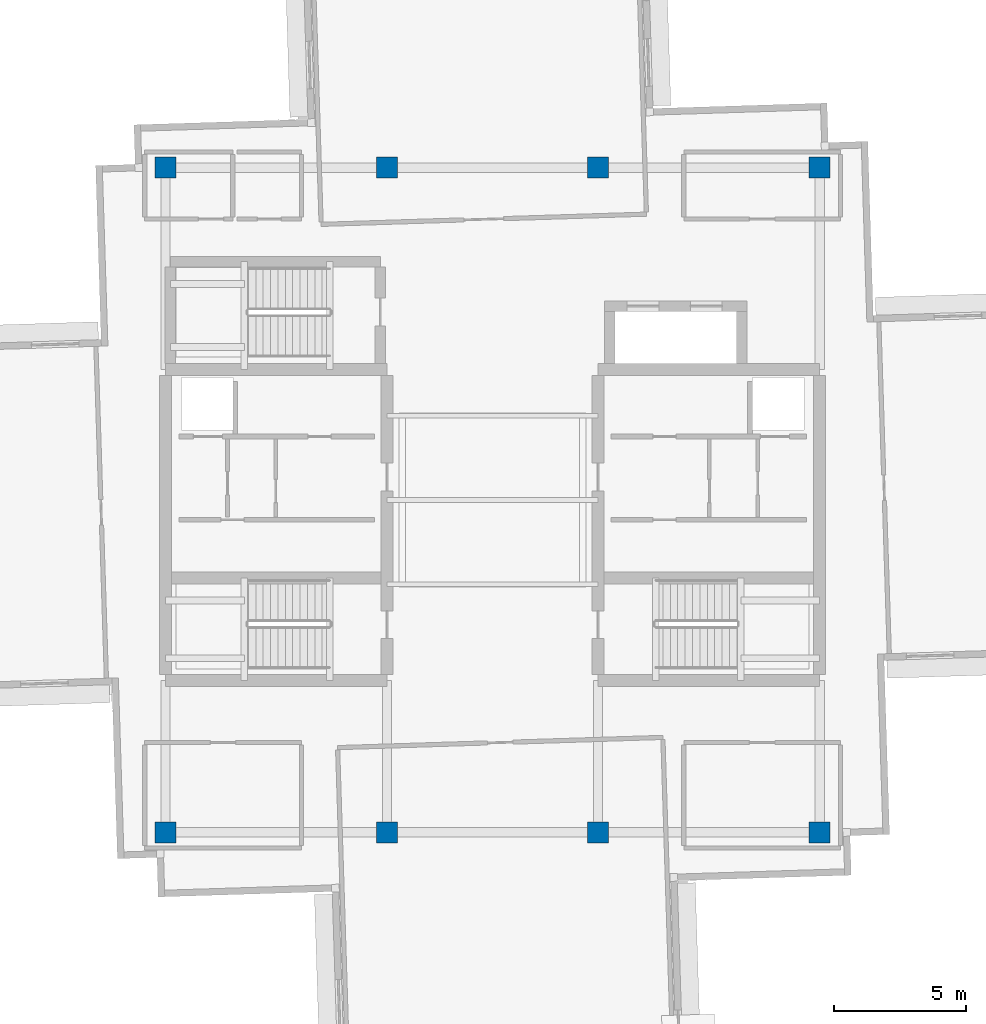
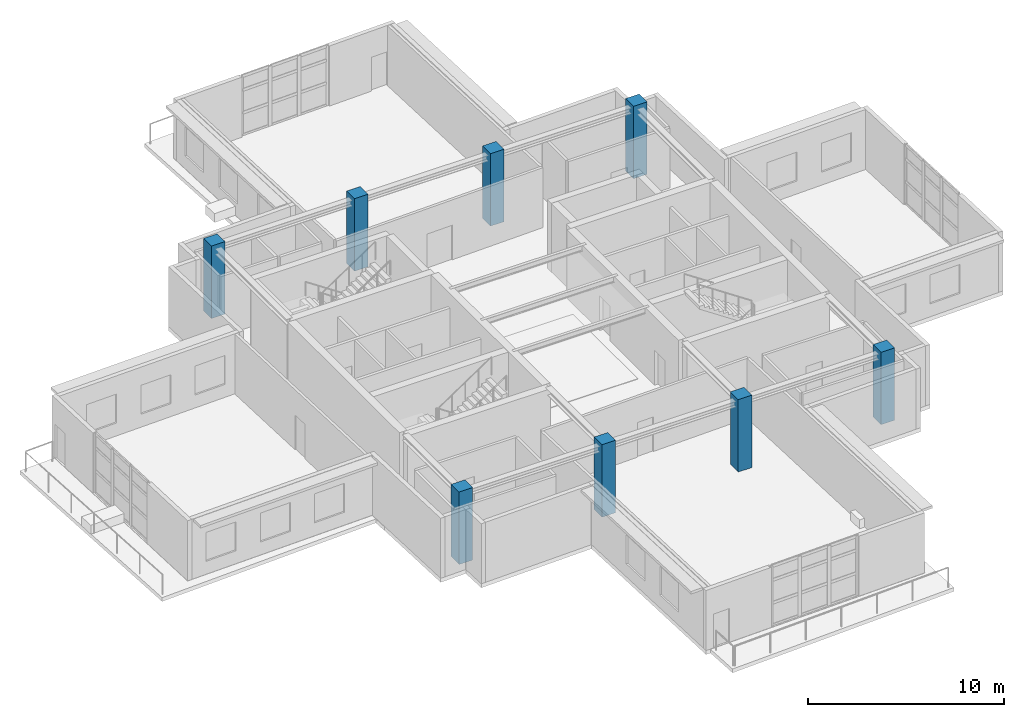
# One storey, part 1 of 18: 8 columns.
"""IFC4 building model written with IfcOpenShell, lengths in metres."""

from ifc_helpers import new_model, si_unit, direction, frame, origin, origin_2d, place, context, subcontext, project, spatial, rectangle, extrude, material, material_profile, profile_set, type_object, element, save


model = new_model("IFC4")

# Units and contexts
model_context = context("Model", 3, precision=1e-05, world=origin(), true_north=direction((0.0, 1.0)))
body_context = subcontext(model_context, "Body", "Model", "MODEL_VIEW")
ifc_project = project(units=[si_unit("LENGTHUNIT", "METRE"), si_unit("AREAUNIT", "SQUARE_METRE"), si_unit("VOLUMEUNIT", "CUBIC_METRE"), si_unit("PLANEANGLEUNIT", "RADIAN"), si_unit("MASSUNIT", "GRAM", prefix="KILO")], contexts=[model_context])

# Site, building, storey
site_placement = place(None, origin())
site = spatial("IfcSite", under=ifc_project, at=site_placement, CompositionType="ELEMENT")
building_placement = place(site_placement, origin())
building = spatial("IfcBuilding", under=site, at=building_placement, Name="Qingluan Cross Belvedere", CompositionType="ELEMENT")
storey_placement = place(building_placement, frame((0.0, 0.0, 299.39990234375)))
storey = spatial("IfcBuildingStorey", under=building, at=storey_placement, Name="L74", CompositionType="ELEMENT", Elevation=299.39990234375)

# Columns
ifc_material = material(Name="Concrete C50", Category="concrete")
ifc_material_profile = material_profile(ifc_material, rectangle(XDim=0.800048828125, YDim=0.800048828125, at=origin_2d()), Name="RC800x800")
ifc_profile_set = profile_set([ifc_material_profile], Name="Concrete C50")
column_type = type_object("IfcColumnType", Name="Column_RC800x800", PredefinedType="COLUMN", material=ifc_profile_set)
for number, where, z_axis, x_axis, name in (
    (1, (-12.39990234375, -12.60009765625, 0.0), (0.0, 0.0, 1.0), (1.0, 0.0, 0.0), "Hub column L74-HC1"),
    (2, (12.39990234375, -12.60009765625, 0.0), (0.0, 0.0, 1.0), (1.0, 0.0, 0.0), "Hub column L74-HC2"),
    (3, (12.39990234375, 12.60009765625, 0.0), (0.0, 0.0, 1.0), (1.0, 0.0, 0.0), "Hub column L74-HC3"),
    (4, (-12.39990234375, 12.60009765625, 0.0), (0.0, 0.0, 1.0), (1.0, 0.0, 0.0), "Hub column L74-HC4"),
    (5, (-4.0, -12.60009765625, 0.0), (0.0, 0.0, 1.0), (1.0, 0.0, 0.0), "Hub column L74-HC5"),
    (6, (4.0, -12.60009765625, 0.0), (0.0, 0.0, 1.0), (1.0, 0.0, 0.0), "Hub column L74-HC6"),
    (7, (4.0, 12.60009765625, 0.0), (0.0, 0.0, 1.0), (1.0, 0.0, 0.0), "Hub column L74-HC7"),
    (8, (-4.0, 12.60009765625, 0.0), (0.0, 0.0, 1.0), (1.0, 0.0, 0.0), "Hub column L74-HC8"),
):
    element("IfcColumn", number, at=place(storey_placement, frame(where, z_axis=z_axis, x_axis=x_axis)), inside=storey, type_object=column_type, Name=name, PredefinedType="COLUMN", context=body_context, shape_type="SweptSolid", body=[
        extrude(rectangle(XDim=0.800048828125, YDim=0.800048828125, at=origin_2d()), origin(), (0.0, 0.0, 1.0), 4.5),
    ])

save(model, "model.ifc")
